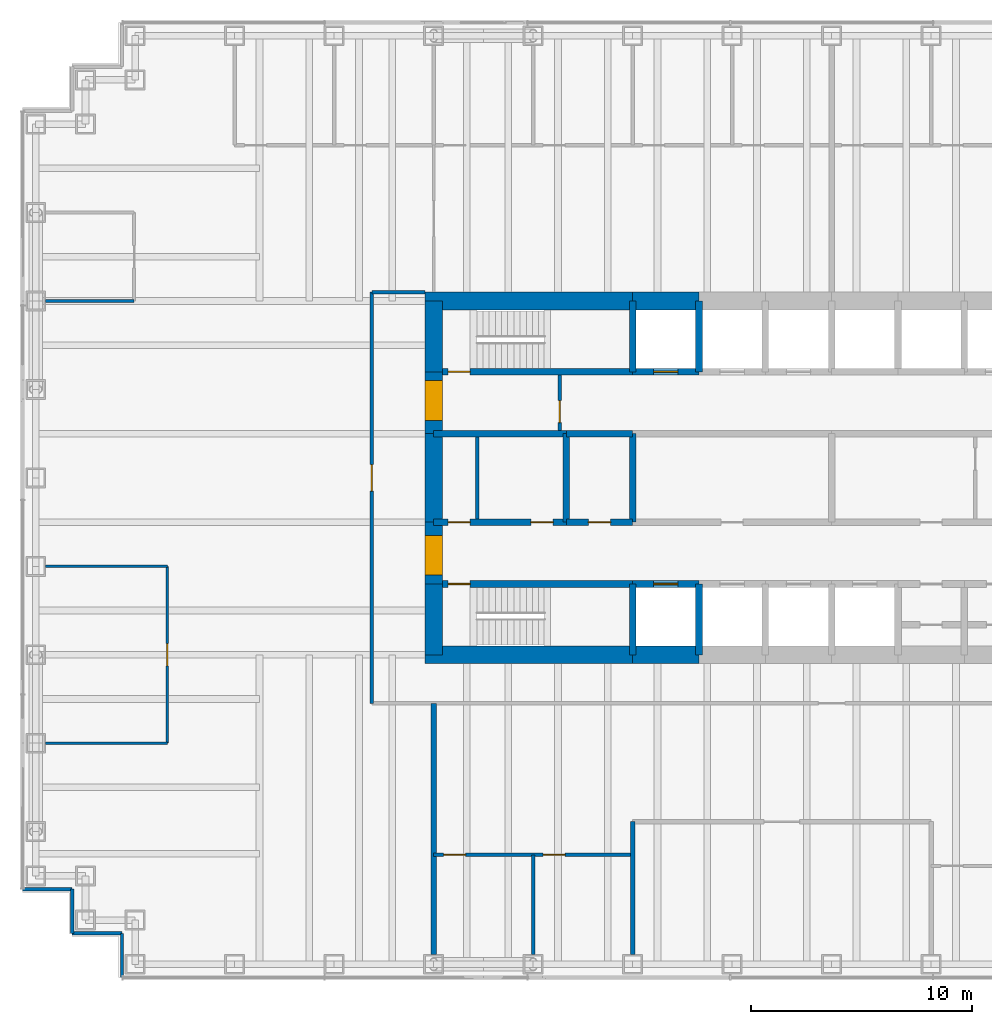
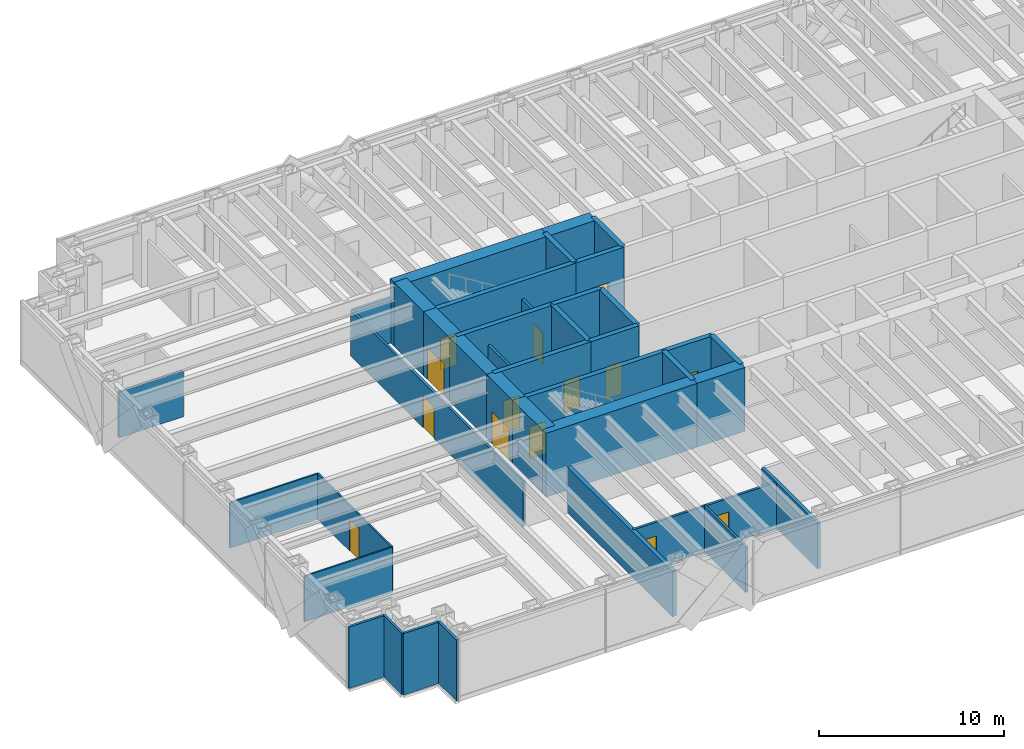
# One storey, part 12 of 17: 39 walls, 14 doors, 14 openings.
"""IFC4 building model written with IfcOpenShell, lengths in metres."""

from ifc_helpers import new_model, si_unit, direction, frame, frame_2d, origin, place, context, subcontext, project, spatial, rectangle, extrude, material, layer, layer_set, type_object, element, fill, save


model = new_model("IFC4")

# Units and contexts
model_context = context("Model", 3, precision=1e-05, world=origin(), true_north=direction((0.0, 1.0)))
body_context = subcontext(model_context, "Body", "Model", "MODEL_VIEW")
ifc_project = project(units=[si_unit("LENGTHUNIT", "METRE"), si_unit("AREAUNIT", "SQUARE_METRE"), si_unit("VOLUMEUNIT", "CUBIC_METRE"), si_unit("PLANEANGLEUNIT", "RADIAN"), si_unit("MASSUNIT", "GRAM", prefix="KILO")], contexts=[model_context])

# Site, building, storey
site_placement = place(None, origin())
site = spatial("IfcSite", under=ifc_project, at=site_placement, CompositionType="ELEMENT")
building_placement = place(site_placement, origin())
building = spatial("IfcBuilding", under=site, at=building_placement, Name="Rheinbord Bourse Tower", CompositionType="ELEMENT")
storey_placement = place(building_placement, frame((0.0, 0.0, 227.800048828125)))
storey = spatial("IfcBuildingStorey", under=building, at=storey_placement, Name="L51", CompositionType="ELEMENT", Elevation=227.800048828125)

# Wall
ifc_material_1 = material(Name="Acoustic gypsum board partition", Category="gypsum board")
ifc_layer_1 = layer(ifc_material_1, 0.199951171875)
ifc_layer_set_1 = layer_set([ifc_layer_1], Name="ACOUSTIC PARTITION 200")
wall_type_1 = type_object("IfcWallType", Name="ACOUSTIC PARTITION 200", PredefinedType="PARTITIONING", material=ifc_layer_set_1)
wall_1_placement = place(storey_placement, frame((27.0, 2.449951171875, 0.0), z_axis=(0.0, 0.0, 1.0), x_axis=(0.0, 1.0, 0.0)))
element("IfcWall", 1, at=wall_1_placement, inside=storey, type_object=wall_type_1, Name="Partition L51-27", PredefinedType="PARTITIONING", context=body_context, shape_type="SweptSolid", body=[
    extrude(rectangle(XDim=6.0, YDim=0.199951171875, at=frame_2d((3.0, 0.0))), origin(), (0.0, 0.0, 1.0), 3.0),
])

# Wall, opening, door
ifc_material_2 = material(Name="Concrete C50/60", Category="concrete")
ifc_layer_2 = layer(ifc_material_2, 0.300048828125)
ifc_layer_set_2 = layer_set([ifc_layer_2], Name="CORE INNER WALL 300")
wall_type_2 = type_object("IfcWallType", Name="CORE INNER WALL 300", PredefinedType="SOLIDWALL", material=ifc_layer_set_2)
wall_2_placement = place(storey_placement, frame((18.0, 19.199951171875, 0.0), z_axis=(0.0, 0.0, 1.0), x_axis=(1.0, 0.0, 0.0)))
wall_2 = element("IfcWall", 2, at=wall_2_placement, inside=storey, type_object=wall_type_2, Name="Core wall A1 L51", PredefinedType="SOLIDWALL", context=body_context, shape_type="SweptSolid", body=[
    extrude(rectangle(XDim=9.0, YDim=0.300048828125, at=frame_2d((4.5, 0.0))), origin(), (0.0, 0.0, 1.0), 4.199951171875),
])
opening_1_placement = place(wall_2_placement, frame((0.64990234375, 0.0, 0.0)))
opening_1 = element("IfcOpeningElement", 3, at=opening_1_placement, cuts=wall_2, Name="Opening 5110", PredefinedType="OPENING", context=body_context, shape_type="SweptSolid", body=[
    extrude(rectangle(XDim=1.0, YDim=2.10009765625, at=frame_2d((0.5, 1.050048828125))), frame((0.0, 0.159912109375, 0.0), z_axis=(0.0, -1.0, 0.0), x_axis=(1.0, 0.0, 0.0)), (0.0, 0.0, 1.0), 0.320068359375),
])
ifc_material_3 = material(Name="Steel door", Category="steel")
door_type_1 = type_object("IfcDoorType", Name="DOOR 1000 EI30", OperationType="SINGLE_SWING_LEFT", PredefinedType="DOOR", material=ifc_material_3)
door_1_placement = place(opening_1_placement, origin())
door_1 = element("IfcDoor", 4, at=door_1_placement, inside=storey, type_object=door_type_1, Name="Stair door ST1 L51", OperationType="SINGLE_SWING_LEFT", OverallHeight=2.10009765625, OverallWidth=1.0, PredefinedType="DOOR", context=body_context, shape_type="SweptSolid", body=[
    extrude(rectangle(XDim=1.0, YDim=2.10009765625, at=frame_2d((0.5, 1.050048828125))), frame((0.0, 0.02490234375, 0.0), z_axis=(0.0, -1.0, 0.0), x_axis=(1.0, 0.0, 0.0)), (0.0, 0.0, 1.0), 0.050048828125),
])
fill(opening_1, door_1)

wall_3_placement = place(storey_placement, frame((27.0, 19.199951171875, 0.0), z_axis=(0.0, 0.0, 1.0), x_axis=(1.0, 0.0, 0.0)))
wall_3 = element("IfcWall", 5, at=wall_3_placement, inside=storey, type_object=wall_type_2, Name="Core wall A2 L51", PredefinedType="SOLIDWALL", context=body_context, shape_type="SweptSolid", body=[
    extrude(rectangle(XDim=3.0, YDim=0.300048828125, at=frame_2d((1.5, 0.0))), origin(), (0.0, 0.0, 1.0), 4.199951171875),
])
opening_2_placement = place(wall_3_placement, frame((0.949951171875, 0.0, 0.0)))
opening_2 = element("IfcOpeningElement", 6, at=opening_2_placement, cuts=wall_3, Name="Opening FL1", PredefinedType="OPENING", context=body_context, shape_type="SweptSolid", body=[
    extrude(rectangle(XDim=1.10009765625, YDim=2.199951171875, at=frame_2d((0.550048828125, 1.10009765625))), frame((0.0, 0.159912109375, 0.0), z_axis=(0.0, -1.0, 0.0), x_axis=(1.0, 0.0, 0.0)), (0.0, 0.0, 1.0), 0.320068359375),
])
ifc_material_4 = material(Name="Steel landing door", Category="steel")
door_type_2 = type_object("IfcDoorType", Name="LIFT LANDING DOOR 1100", OperationType="DOUBLE_DOOR_SLIDING", PredefinedType="USERDEFINED", material=ifc_material_4)
door_2_placement = place(opening_2_placement, origin())
door_2 = element("IfcDoor", 7, at=door_2_placement, inside=storey, type_object=door_type_2, Name="Lift landing door FL1 L51", ObjectType="LIFT LANDING DOOR", OperationType="DOUBLE_DOOR_SLIDING", OverallHeight=2.199951171875, OverallWidth=1.10009765625, PredefinedType="USERDEFINED", context=body_context, shape_type="SweptSolid", body=[
    extrude(rectangle(XDim=1.10009765625, YDim=2.199951171875, at=frame_2d((0.550048828125, 1.10009765625))), frame((0.0, 0.02490234375, 0.0), z_axis=(0.0, -1.0, 0.0), x_axis=(1.0, 0.0, 0.0)), (0.0, 0.0, 1.0), 0.050048828125),
])
fill(opening_2, door_2)

wall_4_placement = place(storey_placement, frame((18.0, 28.800048828125, 0.0), z_axis=(0.0, 0.0, 1.0), x_axis=(1.0, 0.0, 0.0)))
wall_4 = element("IfcWall", 8, at=wall_4_placement, inside=storey, type_object=wall_type_2, Name="Core wall B1 L51", PredefinedType="SOLIDWALL", context=body_context, shape_type="SweptSolid", body=[
    extrude(rectangle(XDim=9.0, YDim=0.300048828125, at=frame_2d((4.5, 0.0))), origin(), (0.0, 0.0, 1.0), 4.199951171875),
])
opening_3_placement = place(wall_4_placement, frame((0.64990234375, 0.0, 0.0)))
opening_3 = element("IfcOpeningElement", 9, at=opening_3_placement, cuts=wall_4, Name="Opening 5120", PredefinedType="OPENING", context=body_context, shape_type="SweptSolid", body=[
    extrude(rectangle(XDim=1.0, YDim=2.10009765625, at=frame_2d((0.5, 1.050048828125))), frame((0.0, 0.159912109375, 0.0), z_axis=(0.0, -1.0, 0.0), x_axis=(1.0, 0.0, 0.0)), (0.0, 0.0, 1.0), 0.320068359375),
])
door_3_placement = place(opening_3_placement, origin())
door_3 = element("IfcDoor", 10, at=door_3_placement, inside=storey, type_object=door_type_1, Name="Stair door ST2 L51", OperationType="SINGLE_SWING_LEFT", OverallHeight=2.10009765625, OverallWidth=1.0, PredefinedType="DOOR", context=body_context, shape_type="SweptSolid", body=[
    extrude(rectangle(XDim=1.0, YDim=2.10009765625, at=frame_2d((0.5, 1.050048828125))), frame((0.0, 0.02490234375, 0.0), z_axis=(0.0, -1.0, 0.0), x_axis=(1.0, 0.0, 0.0)), (0.0, 0.0, 1.0), 0.050048828125),
])
fill(opening_3, door_3)

wall_5_placement = place(storey_placement, frame((27.0, 28.800048828125, 0.0), z_axis=(0.0, 0.0, 1.0), x_axis=(1.0, 0.0, 0.0)))
wall_5 = element("IfcWall", 11, at=wall_5_placement, inside=storey, type_object=wall_type_2, Name="Core wall B2 L51", PredefinedType="SOLIDWALL", context=body_context, shape_type="SweptSolid", body=[
    extrude(rectangle(XDim=3.0, YDim=0.300048828125, at=frame_2d((1.5, 0.0))), origin(), (0.0, 0.0, 1.0), 4.199951171875),
])
opening_4_placement = place(wall_5_placement, frame((0.949951171875, 0.0, 0.0)))
opening_4 = element("IfcOpeningElement", 12, at=opening_4_placement, cuts=wall_5, Name="Opening GL1", PredefinedType="OPENING", context=body_context, shape_type="SweptSolid", body=[
    extrude(rectangle(XDim=1.10009765625, YDim=2.199951171875, at=frame_2d((0.550048828125, 1.10009765625))), frame((0.0, 0.159912109375, 0.0), z_axis=(0.0, -1.0, 0.0), x_axis=(1.0, 0.0, 0.0)), (0.0, 0.0, 1.0), 0.320068359375),
])
door_4_placement = place(opening_4_placement, origin())
door_4 = element("IfcDoor", 13, at=door_4_placement, inside=storey, type_object=door_type_2, Name="Lift landing door GL1 L51", ObjectType="LIFT LANDING DOOR", OperationType="DOUBLE_DOOR_SLIDING", OverallHeight=2.199951171875, OverallWidth=1.10009765625, PredefinedType="USERDEFINED", context=body_context, shape_type="SweptSolid", body=[
    extrude(rectangle(XDim=1.10009765625, YDim=2.199951171875, at=frame_2d((0.550048828125, 1.10009765625))), frame((0.0, 0.02490234375, 0.0), z_axis=(0.0, -1.0, 0.0), x_axis=(1.0, 0.0, 0.0)), (0.0, 0.0, 1.0), 0.050048828125),
])
fill(opening_4, door_4)

# Wall, openings, doors
wall_6_placement = place(storey_placement, frame((18.0, 22.0, 0.0), z_axis=(0.0, 0.0, 1.0), x_axis=(1.0, 0.0, 0.0)))
wall_6 = element("IfcWall", 14, at=wall_6_placement, inside=storey, type_object=wall_type_2, Name="Core wall C1 L51", PredefinedType="SOLIDWALL", context=body_context, shape_type="SweptSolid", body=[
    extrude(rectangle(XDim=6.0, YDim=0.300048828125, at=frame_2d((3.0, 0.0))), origin(), (0.0, 0.0, 1.0), 4.199951171875),
])
opening_5_placement = place(wall_6_placement, frame((4.39990234375, 0.0, 0.0)))
opening_5 = element("IfcOpeningElement", 15, at=opening_5_placement, cuts=wall_6, Name="Opening 51R1", PredefinedType="OPENING", context=body_context, shape_type="SweptSolid", body=[
    extrude(rectangle(XDim=1.0, YDim=2.10009765625, at=frame_2d((0.5, 1.050048828125))), frame((0.0, 0.159912109375, 0.0), z_axis=(0.0, -1.0, 0.0), x_axis=(1.0, 0.0, 0.0)), (0.0, 0.0, 1.0), 0.320068359375),
])
opening_6_placement = place(wall_6_placement, frame((0.64990234375, 0.0, 0.0)))
opening_6 = element("IfcOpeningElement", 16, at=opening_6_placement, cuts=wall_6, Name="Opening 51R9", PredefinedType="OPENING", context=body_context, shape_type="SweptSolid", body=[
    extrude(rectangle(XDim=1.0, YDim=2.10009765625, at=frame_2d((0.5, 1.050048828125))), frame((0.0, 0.159912109375, 0.0), z_axis=(0.0, -1.0, 0.0), x_axis=(1.0, 0.0, 0.0)), (0.0, 0.0, 1.0), 0.320068359375),
])
door_5_placement = place(opening_6_placement, origin())
door_5 = element("IfcDoor", 17, at=door_5_placement, inside=storey, type_object=door_type_1, Name="Staff shower door L51", OperationType="SINGLE_SWING_LEFT", OverallHeight=2.10009765625, OverallWidth=1.0, PredefinedType="DOOR", context=body_context, shape_type="SweptSolid", body=[
    extrude(rectangle(XDim=1.0, YDim=2.10009765625, at=frame_2d((0.5, 1.050048828125))), frame((0.0, 0.02490234375, 0.0), z_axis=(0.0, -1.0, 0.0), x_axis=(1.0, 0.0, 0.0)), (0.0, 0.0, 1.0), 0.050048828125),
])
fill(opening_6, door_5)
ifc_material_5 = material(Name="Timber door", Category="wood")
door_type_3 = type_object("IfcDoorType", Name="DOOR 1000 WC", OperationType="SINGLE_SWING_LEFT", PredefinedType="DOOR", material=ifc_material_5)
door_6_placement = place(opening_5_placement, origin())
door_6 = element("IfcDoor", 18, at=door_6_placement, inside=storey, type_object=door_type_3, Name="WC men door L51", OperationType="SINGLE_SWING_RIGHT", OverallHeight=2.10009765625, OverallWidth=1.0, PredefinedType="DOOR", context=body_context, shape_type="SweptSolid", body=[
    extrude(rectangle(XDim=1.0, YDim=2.10009765625, at=frame_2d((0.5, 1.050048828125))), frame((0.0, 0.02490234375, 0.0), z_axis=(0.0, -1.0, 0.0), x_axis=(1.0, 0.0, 0.0)), (0.0, 0.0, 1.0), 0.050048828125),
])
fill(opening_5, door_6)

# Wall, opening, door
wall_7_placement = place(storey_placement, frame((24.0, 22.0, 0.0), z_axis=(0.0, 0.0, 1.0), x_axis=(1.0, 0.0, 0.0)))
wall_7 = element("IfcWall", 19, at=wall_7_placement, inside=storey, type_object=wall_type_2, Name="Core wall C2 L51", PredefinedType="SOLIDWALL", context=body_context, shape_type="SweptSolid", body=[
    extrude(rectangle(XDim=3.0, YDim=0.300048828125, at=frame_2d((1.5, 0.0))), origin(), (0.0, 0.0, 1.0), 4.199951171875),
])
opening_7_placement = place(wall_7_placement, frame((1.0, 0.0, 0.0)))
opening_7 = element("IfcOpeningElement", 20, at=opening_7_placement, cuts=wall_7, Name="Opening 51R2", PredefinedType="OPENING", context=body_context, shape_type="SweptSolid", body=[
    extrude(rectangle(XDim=1.0, YDim=2.10009765625, at=frame_2d((0.5, 1.050048828125))), frame((0.0, 0.159912109375, 0.0), z_axis=(0.0, -1.0, 0.0), x_axis=(1.0, 0.0, 0.0)), (0.0, 0.0, 1.0), 0.320068359375),
])
door_7_placement = place(opening_7_placement, origin())
door_7 = element("IfcDoor", 21, at=door_7_placement, inside=storey, type_object=door_type_3, Name="Shower and accessible WC door L51", OperationType="SINGLE_SWING_LEFT", OverallHeight=2.10009765625, OverallWidth=1.0, PredefinedType="DOOR", context=body_context, shape_type="SweptSolid", body=[
    extrude(rectangle(XDim=1.0, YDim=2.10009765625, at=frame_2d((0.5, 1.050048828125))), frame((0.0, 0.02490234375, 0.0), z_axis=(0.0, -1.0, 0.0), x_axis=(1.0, 0.0, 0.0)), (0.0, 0.0, 1.0), 0.050048828125),
])
fill(opening_7, door_7)

# Walls
wall_8_placement = place(storey_placement, frame((18.0, 26.0, 0.0), z_axis=(0.0, 0.0, 1.0), x_axis=(1.0, 0.0, 0.0)))
element("IfcWall", 22, at=wall_8_placement, inside=storey, type_object=wall_type_2, Name="Core wall D1 L51", PredefinedType="SOLIDWALL", context=body_context, shape_type="SweptSolid", body=[
    extrude(rectangle(XDim=6.0, YDim=0.300048828125, at=frame_2d((3.0, 0.0))), origin(), (0.0, 0.0, 1.0), 4.199951171875),
])
wall_9_placement = place(storey_placement, frame((24.0, 26.0, 0.0), z_axis=(0.0, 0.0, 1.0), x_axis=(1.0, 0.0, 0.0)))
element("IfcWall", 23, at=wall_9_placement, inside=storey, type_object=wall_type_2, Name="Core wall D2 L51", PredefinedType="SOLIDWALL", context=body_context, shape_type="SweptSolid", body=[
    extrude(rectangle(XDim=3.0, YDim=0.300048828125, at=frame_2d((1.5, 0.0))), origin(), (0.0, 0.0, 1.0), 4.199951171875),
])
for number, where, z_axis, x_axis, name in (
    (24, (27.0, 16.0, 0.0), (0.0, 0.0, 1.0), (0.0, 1.0, 0.0), "Core wall SX27 L51"),
    (25, (27.0, 28.800048828125, 0.0), (0.0, 0.0, 1.0), (0.0, 1.0, 0.0), "Core wall NX27 L51"),
    (26, (30.0, 16.0, 0.0), (0.0, 0.0, 1.0), (0.0, 1.0, 0.0), "Core wall SX30 L51"),
    (27, (30.0, 28.800048828125, 0.0), (0.0, 0.0, 1.0), (0.0, 1.0, 0.0), "Core wall NX30 L51"),
):
    element("IfcWall", number, at=place(storey_placement, frame(where, z_axis=z_axis, x_axis=x_axis)), inside=storey, type_object=wall_type_2, Name=name, PredefinedType="SOLIDWALL", context=body_context, shape_type="SweptSolid", body=[
        extrude(rectangle(XDim=3.199951171875, YDim=0.300048828125, at=frame_2d((1.60009765625, 0.0))), origin(), (0.0, 0.0, 1.0), 4.199951171875),
    ])
for number, where, z_axis, x_axis, name in (
    (28, (24.0, 22.0, 0.0), (0.0, 0.0, 1.0), (0.0, 1.0, 0.0), "Core wall MX24 L51"),
    (29, (27.0, 22.0, 0.0), (0.0, 0.0, 1.0), (0.0, 1.0, 0.0), "Core wall MX27 L51"),
):
    element("IfcWall", number, at=place(storey_placement, frame(where, z_axis=z_axis, x_axis=x_axis)), inside=storey, type_object=wall_type_2, Name=name, PredefinedType="SOLIDWALL", context=body_context, shape_type="SweptSolid", body=[
        extrude(rectangle(XDim=4.0, YDim=0.300048828125, at=frame_2d((2.0, 0.0))), origin(), (0.0, 0.0, 1.0), 4.199951171875),
    ])
ifc_material_6 = material(Name="Gypsum board fire partition", Category="gypsum board")
ifc_layer_3 = layer(ifc_material_6, 0.14990234375)
ifc_layer_set_3 = layer_set([ifc_layer_3], Name="CORE PARTITION 150 EI30")
wall_type_3 = type_object("IfcWallType", Name="CORE PARTITION 150 EI30", PredefinedType="PARTITIONING", material=ifc_layer_set_3)
wall_10_placement = place(storey_placement, frame((19.97509765625, 22.14990234375, 0.0), z_axis=(0.0, 0.0, 1.0), x_axis=(0.0, 1.0, 0.0)))
element("IfcWall", 30, at=wall_10_placement, inside=storey, type_object=wall_type_3, Name="Core partition L51-2", PredefinedType="PARTITIONING", context=body_context, shape_type="SweptSolid", body=[
    extrude(rectangle(XDim=3.7001953125, YDim=0.14990234375, at=frame_2d((1.85009765625, 0.0))), origin(), (0.0, 0.0, 1.0), 3.0),
])

# Wall, opening, door
wall_11_placement = place(storey_placement, frame((23.699951171875, 26.14990234375, 0.0), z_axis=(0.0, 0.0, 1.0), x_axis=(0.0, 1.0, 0.0)))
wall_11 = element("IfcWall", 31, at=wall_11_placement, inside=storey, type_object=wall_type_3, Name="Core partition L51-5", PredefinedType="PARTITIONING", context=body_context, shape_type="SweptSolid", body=[
    extrude(rectangle(XDim=2.5, YDim=0.14990234375, at=frame_2d((1.25, 0.0))), origin(), (0.0, 0.0, 1.0), 3.0),
])
opening_8_placement = place(wall_11_placement, frame((0.35009765625, 0.0, 0.0)))
opening_8 = element("IfcOpeningElement", 32, at=opening_8_placement, cuts=wall_11, Name="Opening 51L6", PredefinedType="OPENING", context=body_context, shape_type="SweptSolid", body=[
    extrude(rectangle(XDim=1.0, YDim=2.10009765625, at=frame_2d((0.5, 1.050048828125))), frame((0.0, 0.0849609375, 0.0), z_axis=(0.0, -1.0, 0.0), x_axis=(1.0, 0.0, 0.0)), (0.0, 0.0, 1.0), 0.169921875),
])
door_8_placement = place(opening_8_placement, origin())
door_8 = element("IfcDoor", 33, at=door_8_placement, inside=storey, type_object=door_type_1, Name="Stair lobby door L51", OperationType="SINGLE_SWING_LEFT", OverallHeight=2.10009765625, OverallWidth=1.0, PredefinedType="DOOR", context=body_context, shape_type="SweptSolid", body=[
    extrude(rectangle(XDim=1.0, YDim=2.10009765625, at=frame_2d((0.5, 1.050048828125))), frame((0.0, 0.02490234375, 0.0), z_axis=(0.0, -1.0, 0.0), x_axis=(1.0, 0.0, 0.0)), (0.0, 0.0, 1.0), 0.050048828125),
])
fill(opening_8, door_8)

# Walls
ifc_material_7 = material(Name="Concrete C50/60", Category="concrete")
ifc_layer_4 = layer(ifc_material_7, 0.800048828125)
ifc_layer_set_4 = layer_set([ifc_layer_4], Name="CORE WALL 800")
wall_type_4 = type_object("IfcWallType", Name="CORE WALL 800", PredefinedType="SHEAR", material=ifc_layer_set_4)
wall_12_placement = place(storey_placement, frame((17.60009765625, 16.0, 0.0), z_axis=(0.0, 0.0, 1.0), x_axis=(1.0, 0.0, 0.0)))
element("IfcWall", 34, at=wall_12_placement, inside=storey, type_object=wall_type_4, Name="Core wall S1 L51", PredefinedType="SHEAR", context=body_context, shape_type="SweptSolid", body=[
    extrude(rectangle(XDim=9.39990234375, YDim=0.800048828125, at=frame_2d((4.699951171875, 0.0))), origin(), (0.0, 0.0, 1.0), 4.199951171875),
])
for number, where, z_axis, x_axis, name in (
    (35, (27.0, 16.0, 0.0), (0.0, 0.0, 1.0), (1.0, 0.0, 0.0), "Core wall S2 L51"),
    (36, (30.0, 32.0, 0.0), (0.0, 0.0, 1.0), (-1.0, 0.0, 0.0), "Core wall N7 L51"),
):
    element("IfcWall", number, at=place(storey_placement, frame(where, z_axis=z_axis, x_axis=x_axis)), inside=storey, type_object=wall_type_4, Name=name, PredefinedType="SHEAR", context=body_context, shape_type="SweptSolid", body=[
        extrude(rectangle(XDim=3.0, YDim=0.800048828125, at=frame_2d((1.5, 0.0))), origin(), (0.0, 0.0, 1.0), 4.199951171875),
    ])
wall_13_placement = place(storey_placement, frame((27.0, 32.0, 0.0), z_axis=(0.0, 0.0, 1.0), x_axis=(-1.0, 0.0, 0.0)))
element("IfcWall", 37, at=wall_13_placement, inside=storey, type_object=wall_type_4, Name="Core wall N8 L51", PredefinedType="SHEAR", context=body_context, shape_type="SweptSolid", body=[
    extrude(rectangle(XDim=9.39990234375, YDim=0.800048828125, at=frame_2d((4.699951171875, 0.0))), origin(), (0.0, 0.0, 1.0), 4.199951171875),
])
wall_14_placement = place(storey_placement, frame((18.0, 32.0, 0.0), z_axis=(0.0, 0.0, 1.0), x_axis=(0.0, -1.0, 0.0)))
element("IfcWall", 38, at=wall_14_placement, inside=storey, type_object=wall_type_4, Name="Core wall W1 L51", PredefinedType="SHEAR", context=body_context, shape_type="SweptSolid", body=[
    extrude(rectangle(XDim=3.199951171875, YDim=0.800048828125, at=frame_2d((1.60009765625, 0.0))), origin(), (0.0, 0.0, 1.0), 4.199951171875),
])

# Wall, opening, door
wall_15_placement = place(storey_placement, frame((18.0, 28.800048828125, 0.0), z_axis=(0.0, 0.0, 1.0), x_axis=(0.0, -1.0, 0.0)))
wall_15 = element("IfcWall", 39, at=wall_15_placement, inside=storey, type_object=wall_type_4, Name="Core wall W2 L51", PredefinedType="SHEAR", context=body_context, shape_type="SweptSolid", body=[
    extrude(rectangle(XDim=2.800048828125, YDim=0.800048828125, at=frame_2d((1.39990234375, 0.0))), origin(), (0.0, 0.0, 1.0), 4.199951171875),
])
opening_9_placement = place(wall_15_placement, frame((0.39990234375, 0.0, 0.0)))
opening_9 = element("IfcOpeningElement", 40, at=opening_9_placement, cuts=wall_15, Name="Opening 51L2", PredefinedType="OPENING", context=body_context, shape_type="SweptSolid", body=[
    extrude(rectangle(XDim=1.800048828125, YDim=2.10009765625, at=frame_2d((0.89990234375, 1.050048828125))), frame((0.0, 0.409912109375, 0.0), z_axis=(0.0, -1.0, 0.0), x_axis=(1.0, 0.0, 0.0)), (0.0, 0.0, 1.0), 0.820068359375),
])
ifc_material_8 = material(Name="Steel door", Category="steel")
door_type_4 = type_object("IfcDoorType", Name="DOOR 1800 EI30 DOUBLE", OperationType="DOUBLE_DOOR_DOUBLE_SWING", PredefinedType="DOOR", material=ifc_material_8)
door_9_placement = place(opening_9_placement, origin())
door_9 = element("IfcDoor", 41, at=door_9_placement, inside=storey, type_object=door_type_4, Name="Lobby door 2 L51", OperationType="SINGLE_SWING_LEFT", OverallHeight=2.10009765625, OverallWidth=1.800048828125, PredefinedType="DOOR", context=body_context, shape_type="SweptSolid", body=[
    extrude(rectangle(XDim=1.800048828125, YDim=2.10009765625, at=frame_2d((0.89990234375, 1.050048828125))), frame((0.0, 0.39990234375, 0.0), z_axis=(0.0, -1.0, 0.0), x_axis=(1.0, 0.0, 0.0)), (0.0, 0.0, 1.0), 0.799560546875),
])
fill(opening_9, door_9)

# Wall
wall_16_placement = place(storey_placement, frame((18.0, 26.0, 0.0), z_axis=(0.0, 0.0, 1.0), x_axis=(0.0, -1.0, 0.0)))
element("IfcWall", 42, at=wall_16_placement, inside=storey, type_object=wall_type_4, Name="Core wall W3 L51", PredefinedType="SHEAR", context=body_context, shape_type="SweptSolid", body=[
    extrude(rectangle(XDim=4.0, YDim=0.800048828125, at=frame_2d((2.0, 0.0))), origin(), (0.0, 0.0, 1.0), 4.199951171875),
])

# Wall, opening, door
wall_17_placement = place(storey_placement, frame((18.0, 22.0, 0.0), z_axis=(0.0, 0.0, 1.0), x_axis=(0.0, -1.0, 0.0)))
wall_17 = element("IfcWall", 43, at=wall_17_placement, inside=storey, type_object=wall_type_4, Name="Core wall W4 L51", PredefinedType="SHEAR", context=body_context, shape_type="SweptSolid", body=[
    extrude(rectangle(XDim=2.800048828125, YDim=0.800048828125, at=frame_2d((1.39990234375, 0.0))), origin(), (0.0, 0.0, 1.0), 4.199951171875),
])
opening_10_placement = place(wall_17_placement, frame((0.60009765625, 0.0, 0.0)))
opening_10 = element("IfcOpeningElement", 44, at=opening_10_placement, cuts=wall_17, Name="Opening 51L1", PredefinedType="OPENING", context=body_context, shape_type="SweptSolid", body=[
    extrude(rectangle(XDim=1.800048828125, YDim=2.10009765625, at=frame_2d((0.89990234375, 1.050048828125))), frame((0.0, 0.409912109375, 0.0), z_axis=(0.0, -1.0, 0.0), x_axis=(1.0, 0.0, 0.0)), (0.0, 0.0, 1.0), 0.820068359375),
])
door_10_placement = place(opening_10_placement, origin())
door_10 = element("IfcDoor", 45, at=door_10_placement, inside=storey, type_object=door_type_4, Name="Lobby door 1 L51", OperationType="SINGLE_SWING_LEFT", OverallHeight=2.10009765625, OverallWidth=1.800048828125, PredefinedType="DOOR", context=body_context, shape_type="SweptSolid", body=[
    extrude(rectangle(XDim=1.800048828125, YDim=2.10009765625, at=frame_2d((0.89990234375, 1.050048828125))), frame((0.0, 0.39990234375, 0.0), z_axis=(0.0, -1.0, 0.0), x_axis=(1.0, 0.0, 0.0)), (0.0, 0.0, 1.0), 0.799560546875),
])
fill(opening_10, door_10)

# Walls
wall_18_placement = place(storey_placement, frame((18.0, 19.199951171875, 0.0), z_axis=(0.0, 0.0, 1.0), x_axis=(0.0, -1.0, 0.0)))
element("IfcWall", 46, at=wall_18_placement, inside=storey, type_object=wall_type_4, Name="Core wall W5 L51", PredefinedType="SHEAR", context=body_context, shape_type="SweptSolid", body=[
    extrude(rectangle(XDim=3.199951171875, YDim=0.800048828125, at=frame_2d((1.60009765625, 0.0))), origin(), (0.0, 0.0, 1.0), 4.199951171875),
])
ifc_material_9 = material(Name="Black metal rainscreen panel", Category="aluminium")
ifc_layer_5 = layer(ifc_material_9, 0.14990234375)
ifc_layer_set_5 = layer_set([ifc_layer_5], Name="CORNER PIER CLADDING 150")
wall_type_5 = type_object("IfcWallType", Name="CORNER PIER CLADDING 150", PredefinedType="ELEMENTEDWALL", material=ifc_layer_set_5)
wall_19_placement = place(storey_placement, frame((-0.60009765625, 5.39990234375, 0.0), z_axis=(0.0, 0.0, 1.0), x_axis=(1.0, 0.0, 0.0)))
element("IfcWall", 47, at=wall_19_placement, inside=storey, type_object=wall_type_5, Name="Corner pier cladding L51 17", PredefinedType="ELEMENTEDWALL", context=body_context, shape_type="SweptSolid", body=[
    extrude(rectangle(XDim=2.25, YDim=0.14990234375, at=frame_2d((1.125, 0.0))), origin(), (0.0, 0.0, 1.0), 4.0400390625),
])
wall_20_placement = place(storey_placement, frame((1.64990234375, 5.39990234375, 0.0), z_axis=(0.0, 0.0, 1.0), x_axis=(0.0, -1.0, 0.0)))
element("IfcWall", 48, at=wall_20_placement, inside=storey, type_object=wall_type_5, Name="Corner pier cladding L51 18", PredefinedType="ELEMENTEDWALL", context=body_context, shape_type="SweptSolid", body=[
    extrude(rectangle(XDim=2.0, YDim=0.14990234375, at=frame_2d((1.0, 0.0))), origin(), (0.0, 0.0, 1.0), 4.0400390625),
])
wall_21_placement = place(storey_placement, frame((1.64990234375, 3.39990234375, 0.0), z_axis=(0.0, 0.0, 1.0), x_axis=(1.0, 0.0, 0.0)))
element("IfcWall", 49, at=wall_21_placement, inside=storey, type_object=wall_type_5, Name="Corner pier cladding L51 19", PredefinedType="ELEMENTEDWALL", context=body_context, shape_type="SweptSolid", body=[
    extrude(rectangle(XDim=2.25, YDim=0.14990234375, at=frame_2d((1.125, 0.0))), origin(), (0.0, 0.0, 1.0), 4.0400390625),
])
wall_22_placement = place(storey_placement, frame((3.89990234375, 3.39990234375, 0.0), z_axis=(0.0, 0.0, 1.0), x_axis=(0.0, -1.0, 0.0)))
element("IfcWall", 50, at=wall_22_placement, inside=storey, type_object=wall_type_5, Name="Corner pier cladding L51 20", PredefinedType="ELEMENTEDWALL", context=body_context, shape_type="SweptSolid", body=[
    extrude(rectangle(XDim=2.0, YDim=0.14990234375, at=frame_2d((1.0, 0.0))), origin(), (0.0, 0.0, 1.0), 4.0400390625),
])
ifc_material_10 = material(Name="Gypsum board corridor partition", Category="gypsum board")
ifc_layer_6 = layer(ifc_material_10, 0.14990234375)
ifc_layer_set_6 = layer_set([ifc_layer_6], Name="CORRIDOR PARTITION 150 EI30")
wall_type_6 = type_object("IfcWallType", Name="CORRIDOR PARTITION 150 EI30", PredefinedType="PARTITIONING", material=ifc_layer_set_6)
wall_23_placement = place(storey_placement, frame((15.199951171875, 32.39990234375, 0.0), z_axis=(0.0, 0.0, 1.0), x_axis=(1.0, 0.0, 0.0)))
element("IfcWall", 51, at=wall_23_placement, inside=storey, type_object=wall_type_6, Name="Partition L51-13", PredefinedType="PARTITIONING", context=body_context, shape_type="SweptSolid", body=[
    extrude(rectangle(XDim=2.400146484375, YDim=0.14990234375, at=frame_2d((1.2001953125, 0.0))), origin(), (0.0, 0.0, 1.0), 3.0),
])

# Wall, opening, door
wall_24_placement = place(storey_placement, frame((15.199951171875, 13.800048828125, 0.0), z_axis=(0.0, 0.0, 1.0), x_axis=(0.0, 1.0, 0.0)))
wall_24 = element("IfcWall", 52, at=wall_24_placement, inside=storey, type_object=wall_type_6, Name="Partition L51-21", PredefinedType="PARTITIONING", context=body_context, shape_type="SweptSolid", body=[
    extrude(rectangle(XDim=18.599853515625, YDim=0.14990234375, at=frame_2d((9.2998046875, 0.0))), origin(), (0.0, 0.0, 1.0), 3.0),
])
opening_11_placement = place(wall_24_placement, frame((9.60009765625, 0.0, 0.0)))
opening_11 = element("IfcOpeningElement", 53, at=opening_11_placement, cuts=wall_24, Name="Opening 51D25", PredefinedType="OPENING", context=body_context, shape_type="SweptSolid", body=[
    extrude(rectangle(XDim=1.199951171875, YDim=2.10009765625, at=frame_2d((0.60009765625, 1.050048828125))), frame((0.0, 0.0849609375, 0.0), z_axis=(0.0, -1.0, 0.0), x_axis=(1.0, 0.0, 0.0)), (0.0, 0.0, 1.0), 0.169921875),
])
ifc_material_11 = material(Name="Timber fire door", Category="wood")
door_type_5 = type_object("IfcDoorType", Name="SUITE ENTRANCE DOOR 1200 EI30", OperationType="SINGLE_SWING_LEFT", PredefinedType="DOOR", material=ifc_material_11)
door_11_placement = place(opening_11_placement, origin())
door_11 = element("IfcDoor", 54, at=door_11_placement, inside=storey, type_object=door_type_5, Name="Suite entrance 1 door L51", OperationType="SINGLE_SWING_RIGHT", OverallHeight=2.10009765625, OverallWidth=1.199951171875, PredefinedType="DOOR", context=body_context, shape_type="SweptSolid", body=[
    extrude(rectangle(XDim=1.199951171875, YDim=2.10009765625, at=frame_2d((0.60009765625, 1.050048828125))), frame((0.0, 0.02490234375, 0.0), z_axis=(0.0, -1.0, 0.0), x_axis=(1.0, 0.0, 0.0)), (0.0, 0.0, 1.0), 0.050048828125),
])
fill(opening_11, door_11)

# Walls
ifc_material_12 = material(Name="Gypsum board tenancy wall", Category="gypsum board")
ifc_layer_7 = layer(ifc_material_12, 0.25)
ifc_layer_set_7 = layer_set([ifc_layer_7], Name="DEMISING PARTITION 250 EI60")
wall_type_7 = type_object("IfcWallType", Name="DEMISING PARTITION 250 EI60", PredefinedType="PARTITIONING", material=ifc_layer_set_7)
wall_25_placement = place(storey_placement, frame((18.0, 2.449951171875, 0.0), z_axis=(0.0, 0.0, 1.0), x_axis=(0.0, 1.0, 0.0)))
element("IfcWall", 55, at=wall_25_placement, inside=storey, type_object=wall_type_7, Name="Partition L51-22", PredefinedType="PARTITIONING", context=body_context, shape_type="SweptSolid", body=[
    extrude(rectangle(XDim=11.35009765625, YDim=0.25, at=frame_2d((5.675048828125, 0.0))), origin(), (0.0, 0.0, 1.0), 3.0),
])
ifc_material_13 = material(Name="Toughened laminated glass partition", Category="glass")
ifc_layer_8 = layer(ifc_material_13, 0.10009765625)
ifc_layer_set_8 = layer_set([ifc_layer_8], Name="GLAZED PARTITION 100")
wall_type_8 = type_object("IfcWallType", Name="GLAZED PARTITION 100", PredefinedType="PARTITIONING", material=ifc_layer_set_8)
for number, where, z_axis, x_axis, name in (
    (56, (0.449951171875, 12.0, 0.0), (0.0, 0.0, 1.0), (1.0, 0.0, 0.0), "Partition L51-05"),
    (57, (0.449951171875, 20.0, 0.0), (0.0, 0.0, 1.0), (1.0, 0.0, 0.0), "Partition L51-08"),
):
    element("IfcWall", number, at=place(storey_placement, frame(where, z_axis=z_axis, x_axis=x_axis)), inside=storey, type_object=wall_type_8, Name=name, PredefinedType="PARTITIONING", context=body_context, shape_type="SweptSolid", body=[
        extrude(rectangle(XDim=5.5, YDim=0.10009765625, at=frame_2d((2.75, 0.0))), origin(), (0.0, 0.0, 1.0), 3.0),
    ])

# Wall, opening, door
wall_26_placement = place(storey_placement, frame((5.949951171875, 12.0, 0.0), z_axis=(0.0, 0.0, 1.0), x_axis=(0.0, 1.0, 0.0)))
wall_26 = element("IfcWall", 58, at=wall_26_placement, inside=storey, type_object=wall_type_8, Name="Partition L51-18", PredefinedType="PARTITIONING", context=body_context, shape_type="SweptSolid", body=[
    extrude(rectangle(XDim=8.0, YDim=0.10009765625, at=frame_2d((4.0, 0.0))), origin(), (0.0, 0.0, 1.0), 3.0),
])
opening_12_placement = place(wall_26_placement, frame((3.5, 0.0, 0.0)))
opening_12 = element("IfcOpeningElement", 59, at=opening_12_placement, cuts=wall_26, Name="Opening 51D08", PredefinedType="OPENING", context=body_context, shape_type="SweptSolid", body=[
    extrude(rectangle(XDim=1.0, YDim=2.10009765625, at=frame_2d((0.5, 1.050048828125))), frame((0.0, 0.06005859375, 0.0), z_axis=(0.0, -1.0, 0.0), x_axis=(1.0, 0.0, 0.0)), (0.0, 0.0, 1.0), 0.1201171875),
])
ifc_material_14 = material(Name="Timber door", Category="wood")
door_type_6 = type_object("IfcDoorType", Name="ROOM DOOR 1000", OperationType="SINGLE_SWING_LEFT", PredefinedType="DOOR", material=ifc_material_14)
door_12_placement = place(opening_12_placement, origin())
door_12 = element("IfcDoor", 60, at=door_12_placement, inside=storey, type_object=door_type_6, Name="Meeting room door L51", OperationType="SINGLE_SWING_LEFT", OverallHeight=2.10009765625, OverallWidth=1.0, PredefinedType="DOOR", context=body_context, shape_type="SweptSolid", body=[
    extrude(rectangle(XDim=1.0, YDim=2.10009765625, at=frame_2d((0.5, 1.050048828125))), frame((0.0, 0.02490234375, 0.0), z_axis=(0.0, -1.0, 0.0), x_axis=(1.0, 0.0, 0.0)), (0.0, 0.0, 1.0), 0.050048828125),
])
fill(opening_12, door_12)

# Wall, openings, doors
ifc_material_15 = material(Name="Gypsum board partition", Category="gypsum board")
ifc_layer_9 = layer(ifc_material_15, 0.14990234375)
ifc_layer_set_9 = layer_set([ifc_layer_9], Name="PARTITION 150")
wall_type_9 = type_object("IfcWallType", Name="PARTITION 150", PredefinedType="PARTITIONING", material=ifc_layer_set_9)
wall_27_placement = place(storey_placement, frame((18.0, 6.949951171875, 0.0), z_axis=(0.0, 0.0, 1.0), x_axis=(1.0, 0.0, 0.0)))
wall_27 = element("IfcWall", 61, at=wall_27_placement, inside=storey, type_object=wall_type_9, Name="Partition L51-02", PredefinedType="PARTITIONING", context=body_context, shape_type="SweptSolid", body=[
    extrude(rectangle(XDim=9.0, YDim=0.14990234375, at=frame_2d((4.5, 0.0))), origin(), (0.0, 0.0, 1.0), 3.0),
])
opening_13_placement = place(wall_27_placement, frame((0.449951171875, 0.0, 0.0)))
opening_13 = element("IfcOpeningElement", 62, at=opening_13_placement, cuts=wall_27, Name="Opening 51D02", PredefinedType="OPENING", context=body_context, shape_type="SweptSolid", body=[
    extrude(rectangle(XDim=1.0, YDim=2.10009765625, at=frame_2d((0.5, 1.050048828125))), frame((0.0, 0.0849609375, 0.0), z_axis=(0.0, -1.0, 0.0), x_axis=(1.0, 0.0, 0.0)), (0.0, 0.0, 1.0), 0.169921875),
])
opening_14_placement = place(wall_27_placement, frame((4.949951171875, 0.0, 0.0)))
opening_14 = element("IfcOpeningElement", 63, at=opening_14_placement, cuts=wall_27, Name="Opening 51D03", PredefinedType="OPENING", context=body_context, shape_type="SweptSolid", body=[
    extrude(rectangle(XDim=1.0, YDim=2.10009765625, at=frame_2d((0.5, 1.050048828125))), frame((0.0, 0.0849609375, 0.0), z_axis=(0.0, -1.0, 0.0), x_axis=(1.0, 0.0, 0.0)), (0.0, 0.0, 1.0), 0.169921875),
])
door_13_placement = place(opening_13_placement, origin())
door_13 = element("IfcDoor", 64, at=door_13_placement, inside=storey, type_object=door_type_6, Name="Office door L51", OperationType="SINGLE_SWING_LEFT", OverallHeight=2.10009765625, OverallWidth=1.0, PredefinedType="DOOR", context=body_context, shape_type="SweptSolid", body=[
    extrude(rectangle(XDim=1.0, YDim=2.10009765625, at=frame_2d((0.5, 1.050048828125))), frame((0.0, 0.02490234375, 0.0), z_axis=(0.0, -1.0, 0.0), x_axis=(1.0, 0.0, 0.0)), (0.0, 0.0, 1.0), 0.050048828125),
])
fill(opening_13, door_13)
door_14_placement = place(opening_14_placement, origin())
door_14 = element("IfcDoor", 65, at=door_14_placement, inside=storey, type_object=door_type_6, Name="Office door L51", OperationType="SINGLE_SWING_RIGHT", OverallHeight=2.10009765625, OverallWidth=1.0, PredefinedType="DOOR", context=body_context, shape_type="SweptSolid", body=[
    extrude(rectangle(XDim=1.0, YDim=2.10009765625, at=frame_2d((0.5, 1.050048828125))), frame((0.0, 0.02490234375, 0.0), z_axis=(0.0, -1.0, 0.0), x_axis=(1.0, 0.0, 0.0)), (0.0, 0.0, 1.0), 0.050048828125),
])
fill(opening_14, door_14)

# Walls
wall_28_placement = place(storey_placement, frame((0.449951171875, 32.0, 0.0), z_axis=(0.0, 0.0, 1.0), x_axis=(1.0, 0.0, 0.0)))
element("IfcWall", 66, at=wall_28_placement, inside=storey, type_object=wall_type_9, Name="Partition L51-11", PredefinedType="PARTITIONING", context=body_context, shape_type="SweptSolid", body=[
    extrude(rectangle(XDim=4.0, YDim=0.14990234375, at=frame_2d((2.0, 0.0))), origin(), (0.0, 0.0, 1.0), 3.0),
])
wall_29_placement = place(storey_placement, frame((22.5, 2.449951171875, 0.0), z_axis=(0.0, 0.0, 1.0), x_axis=(0.0, 1.0, 0.0)))
element("IfcWall", 67, at=wall_29_placement, inside=storey, type_object=wall_type_9, Name="Partition L51-25", PredefinedType="PARTITIONING", context=body_context, shape_type="SweptSolid", body=[
    extrude(rectangle(XDim=4.5, YDim=0.14990234375, at=frame_2d((2.25, 0.0))), origin(), (0.0, 0.0, 1.0), 3.0),
])

save(model, "model.ifc")
